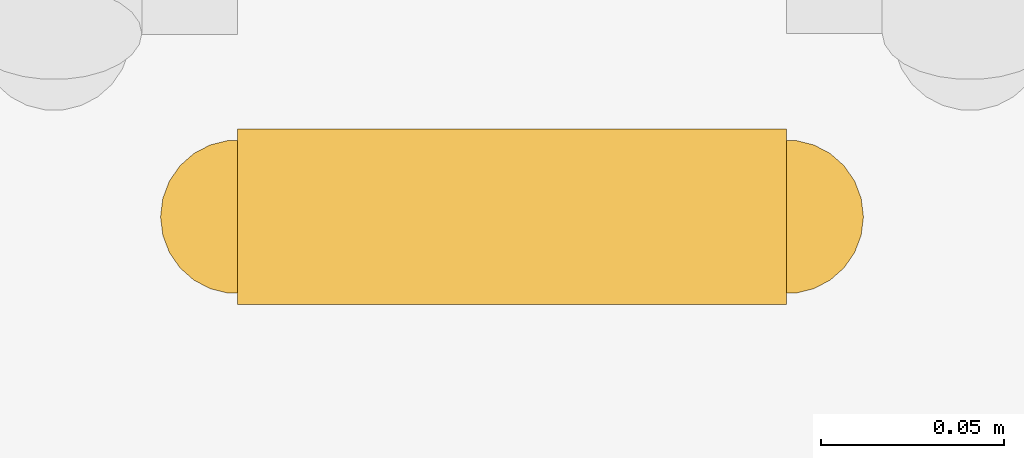
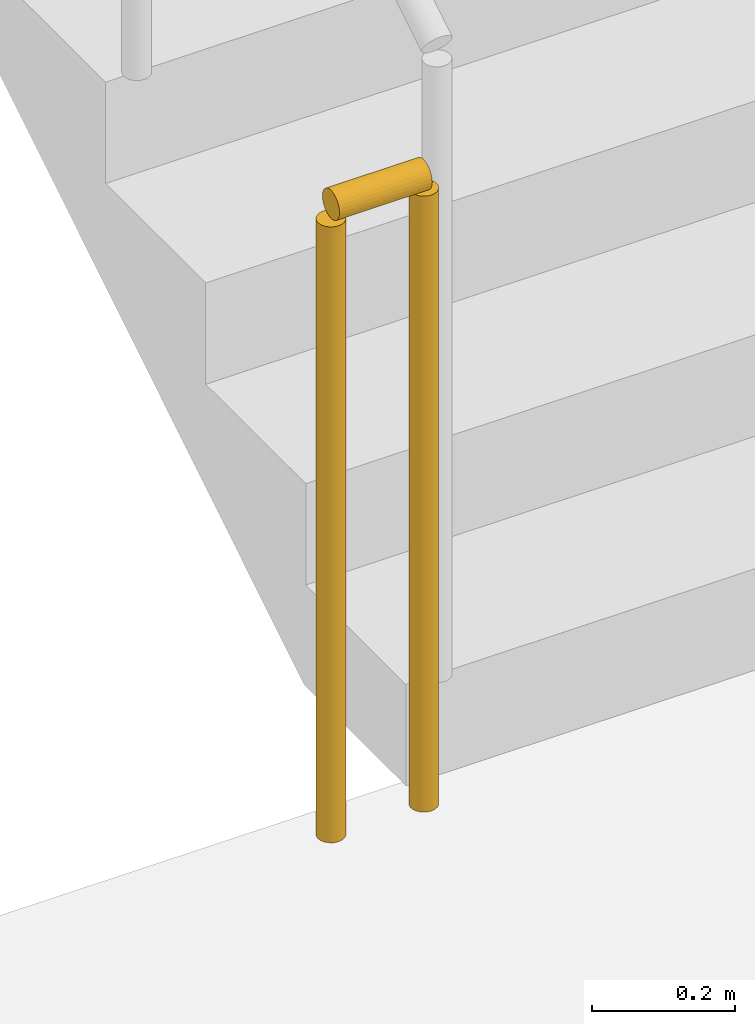
# One storey, part 45 of 47: 1 railing.
"""IFC4 building model written with IfcOpenShell, lengths in metres."""

import ifcopenshell
import ifcopenshell.guid

model = None  # the IFC model being written
_history = None  # IfcOwnerHistory: only IFC2X3 demands one
_inside = {}  # id of a spatial element -> (the spatial element, [elements in it])
_under = {}  # id of a project, library or spatial element -> (it, [spatial elements below it])
_declared = {}  # id of a project -> (the project, [libraries it declares])
_typed = {}  # id of a type object -> (the type object, [elements of that type])
_made_of = {}  # id of a material, layer set ... -> (it, [elements and type objects made of it])


def new_model(schema):
    """Start an empty IFC model of exactly this schema.

    Asked for "IFC4X3", IfcOpenShell would pick the latest addendum, in which some entities
    have other attributes; the version numbers below select the first issue.
    IFC2X3 requires an IfcOwnerHistory on every rooted entity: one is made here for all.
    """
    global model, _history
    if schema == "IFC4X3":
        model = ifcopenshell.file(schema_version=(4, 3, 0, 0))
    else:
        model = ifcopenshell.file(schema=schema)
    _inside.clear()
    _under.clear()
    _declared.clear()
    _typed.clear()
    _made_of.clear()
    _history = None
    if model.schema == "IFC2X3":
        org = make("IfcOrganization", Name="unknown")
        user = make(
            "IfcPersonAndOrganization",
            ThePerson=make("IfcPerson", FamilyName="unknown"),
            TheOrganization=org,
        )
        app = make(
            "IfcApplication",
            ApplicationDeveloper=org,
            Version="unknown",
            ApplicationFullName="unknown",
            ApplicationIdentifier="unknown",
        )
        _history = make(
            "IfcOwnerHistory",
            OwningUser=user,
            OwningApplication=app,
            ChangeAction="ADDED",
            CreationDate=0,
        )
    return model


def make(cls, **values):
    """One entity of the class cls with the attributes given. An attribute that is None is left unset."""
    return model.create_entity(
        cls, **{name: value for name, value in values.items() if value is not None}
    )


def rooted(cls, **values):
    """An entity with a GlobalId (a new one), such as an element, a storey or a relation."""
    return make(cls, GlobalId=ifcopenshell.guid.new(), OwnerHistory=_history, **values)


def si_unit(unit_type, name, prefix=None):
    """IfcSIUnit, for example si_unit("LENGTHUNIT", "METRE", prefix="MILLI")."""
    return make("IfcSIUnit", UnitType=unit_type, Prefix=prefix, Name=name)


def assignment(units):
    """IfcUnitAssignment: the units of a project."""
    return None if units is None else make("IfcUnitAssignment", Units=units)


def point(xyz):
    """IfcCartesianPoint."""
    return None if xyz is None else make("IfcCartesianPoint", Coordinates=xyz)


def direction(xyz):
    """IfcDirection."""
    return None if xyz is None else make("IfcDirection", DirectionRatios=xyz)


def frame(location, z_axis=None, x_axis=None):
    """IfcAxis2Placement3D, a coordinate frame: its origin and axes. An axis left out is left unset."""
    return make(
        "IfcAxis2Placement3D",
        Location=point(location),
        Axis=direction(z_axis),
        RefDirection=direction(x_axis),
    )


def frame_2d(location, x_axis=None):
    """IfcAxis2Placement2D, a coordinate frame in the plane: its origin and x axis."""
    return make(
        "IfcAxis2Placement2D", Location=point(location), RefDirection=direction(x_axis)
    )


def origin():
    """The frame at (0, 0, 0) with its axes left unset."""
    return frame((0.0, 0.0, 0.0))


def origin_2d():
    """The frame at (0, 0) in the plane with its x axis left unset."""
    return frame_2d((0.0, 0.0))


def place(relative_to, where):
    """IfcLocalPlacement: puts the frame where relative to a parent placement (None: the world)."""
    return make(
        "IfcLocalPlacement", PlacementRelTo=relative_to, RelativePlacement=where
    )


def context(
    kind, dimensions, precision=None, world=None, true_north=None, identifier=None
):
    """IfcGeometricRepresentationContext, for example the 3D "Model" context."""
    return make(
        "IfcGeometricRepresentationContext",
        ContextIdentifier=identifier,
        ContextType=kind,
        CoordinateSpaceDimension=dimensions,
        Precision=precision,
        WorldCoordinateSystem=world,
        TrueNorth=true_north,
    )


def subcontext(parent, identifier, kind, view, scale=None):
    """IfcGeometricRepresentationSubContext, for example "Body" below "Model"."""
    return make(
        "IfcGeometricRepresentationSubContext",
        ContextIdentifier=identifier,
        ContextType=kind,
        ParentContext=parent,
        TargetScale=scale,
        TargetView=view,
    )


def project(units=None, contexts=None):
    """IfcProject with its units and contexts."""
    return rooted(
        "IfcProject",
        Name="project",
        RepresentationContexts=contexts,
        UnitsInContext=assignment(units),
    )


def spatial(cls, under=None, at=None, **own):
    """A site, building, storey or space (cls), placed at a placement, below another one or the project."""
    s = rooted(cls, ObjectPlacement=at, **own)
    if under is not None:
        _under.setdefault(under.id(), (under, []))[1].append(s)
    return s


def profile(cls, at=None, kind="AREA", **sizes):
    """A parametric profile (cls). Its sizes go by their IFC names, for example OverallWidth=200.0."""
    return make(cls, ProfileType=kind, Position=at, **sizes)


def circle(**sizes):
    """IfcCircleProfileDef."""
    return profile("IfcCircleProfileDef", **sizes)


def extrude(swept, where, along, depth):
    """IfcExtrudedAreaSolid: the profile swept, set in the frame where, extruded along a direction by depth."""
    return make(
        "IfcExtrudedAreaSolid",
        SweptArea=swept,
        Position=where,
        ExtrudedDirection=direction(along),
        Depth=depth,
    )


def shape(context_of_items, identifier, shape_type, items):
    """IfcShapeRepresentation: the items that make up one representation, for example the "Body"."""
    return make(
        "IfcShapeRepresentation",
        ContextOfItems=context_of_items,
        RepresentationIdentifier=identifier,
        RepresentationType=shape_type,
        Items=items,
    )


def material(Name=None, Category=None):
    """IfcMaterial."""
    return make("IfcMaterial", Name=Name, Category=Category)


def made_of(thing, what):
    """Note that an element or type object is made of a material, layer set ...; save() writes the relation."""
    if what is not None:
        _made_of.setdefault(what.id(), (what, []))[1].append(thing)
    return thing


def type_object(cls, material=None, **own):
    """A type object (cls), such as IfcWallType, which elements share."""
    return made_of(rooted(cls, **own), material)


def element(
    cls,
    number,
    at=None,
    inside=None,
    cuts=None,
    type_object=None,
    material=None,
    context=None,
    identifier="Body",
    shape_type=None,
    held_by="IfcProductDefinitionShape",
    body=None,
    shapes=None,
    **own,
):
    """One element of the class cls, such as IfcWall. Its Tag is "e" and its number.

    at: its placement. inside: the storey or other place that contains it. cuts: it is an
    opening in that element (IfcRelVoidsElement). A single representation is given by context,
    identifier, shape_type and body (its items); several are given by shapes. held_by: the class
    of the entity that holds the representations. save() writes the other relations.
    """
    e = rooted(cls, Tag="e%d" % number, ObjectPlacement=at, **own)
    if body is not None:
        shapes = [shape(context, identifier, shape_type, body)]
    if shapes is not None:
        e.Representation = make(held_by, Representations=shapes)
    if inside is not None:
        _inside.setdefault(inside.id(), (inside, []))[1].append(e)
    if cuts is not None:
        rooted(
            "IfcRelVoidsElement", RelatingBuildingElement=cuts, RelatedOpeningElement=e
        )
    if type_object is not None:
        _typed.setdefault(type_object.id(), (type_object, []))[1].append(e)
    return made_of(e, material)


def aggregate(whole, parts):
    """IfcRelAggregates: a whole, such as a stair, and the parts it consists of."""
    return rooted("IfcRelAggregates", RelatingObject=whole, RelatedObjects=parts)


def save(model, path):
    """Write the relations noted so far, then the file.

    IfcRelAggregates (storeys below a building ...), IfcRelContainedInSpatialStructure (elements
    in a storey), IfcRelDefinesByType, IfcRelAssociatesMaterial and IfcRelDeclares: one each for
    every whole, place, type object, material and project.
    """
    for whole, parts in _under.values():
        aggregate(whole, parts)
    for where, things in _inside.values():
        rooted(
            "IfcRelContainedInSpatialStructure",
            RelatedElements=things,
            RelatingStructure=where,
        )
    for kind, things in _typed.values():
        rooted("IfcRelDefinesByType", RelatedObjects=things, RelatingType=kind)
    for what, things in _made_of.values():
        rooted("IfcRelAssociatesMaterial", RelatedObjects=things, RelatingMaterial=what)
    for by, libraries in _declared.values():
        rooted("IfcRelDeclares", RelatingContext=by, RelatedDefinitions=libraries)
    model.write(path)


model = new_model("IFC4")

# Units and contexts
model_context = context("Model", 3, precision=1e-05, world=origin(), true_north=direction((0.0, 1.0)))
body_context = subcontext(model_context, "Body", "Model", "MODEL_VIEW")
ifc_project = project(units=[si_unit("LENGTHUNIT", "METRE"), si_unit("AREAUNIT", "SQUARE_METRE"), si_unit("VOLUMEUNIT", "CUBIC_METRE"), si_unit("PLANEANGLEUNIT", "RADIAN"), si_unit("MASSUNIT", "GRAM", prefix="KILO")], contexts=[model_context])

# Site, building, storey
site_placement = place(None, origin())
site = spatial("IfcSite", under=ifc_project, at=site_placement, CompositionType="ELEMENT")
building_placement = place(site_placement, origin())
building = spatial("IfcBuilding", under=site, at=building_placement, Name="Kolvaren Belvedere", CompositionType="ELEMENT")
storey_placement = place(building_placement, frame((0.0, 0.0, 5.5)))
storey = spatial("IfcBuildingStorey", under=building, at=storey_placement, Name="L02", CompositionType="ELEMENT", Elevation=5.5)

# Railing
ifc_material = material(Name="Painted tubular steel stair guard", Category="steel")
railing_type = type_object("IfcRailingType", Name="RL-STGUARD-1100", PredefinedType="GUARDRAIL", material=ifc_material)
railing_placement = place(storey_placement, frame((23.679931640625, 3.27001953125, 0.0)))
element("IfcRailing", 1, at=railing_placement, inside=storey, type_object=railing_type, Name="L02 ST-P2 stair guard 4", PredefinedType="GUARDRAIL", context=body_context, shape_type="SweptSolid", body=[
    extrude(circle(Radius=0.02392578125, at=origin_2d()), frame((0.0, 0.0, 1.076171875), z_axis=(-1.0, 0.0, 0.0), x_axis=(0.0, -1.0, 0.0)), (0.0, 0.0, 1.0), 0.14990234375),
    extrude(circle(Radius=0.02099609375, at=origin_2d()), origin(), (0.0, 0.0, 1.0), 1.052001953125),
    extrude(circle(Radius=0.02099609375, at=origin_2d()), frame((-0.14990234375, 0.0, 0.0)), (0.0, 0.0, 1.0), 1.052001953125),
])

save(model, "model.ifc")
